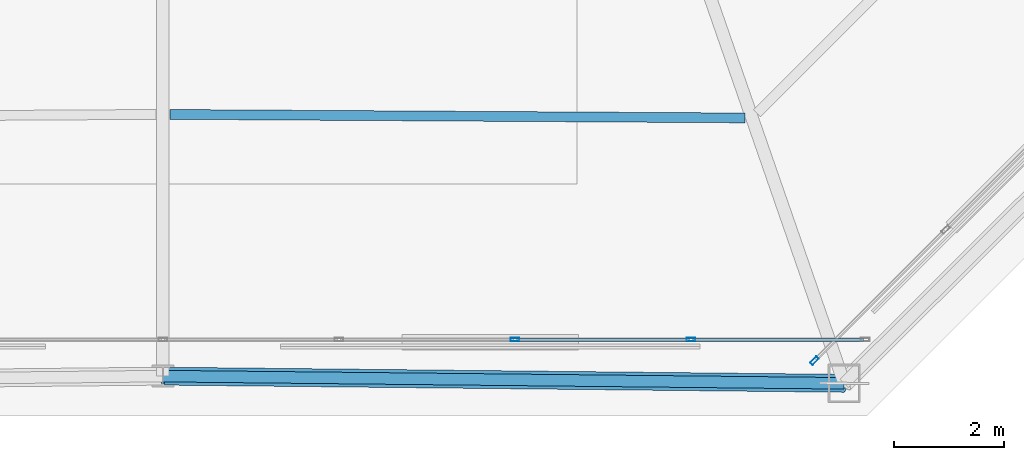
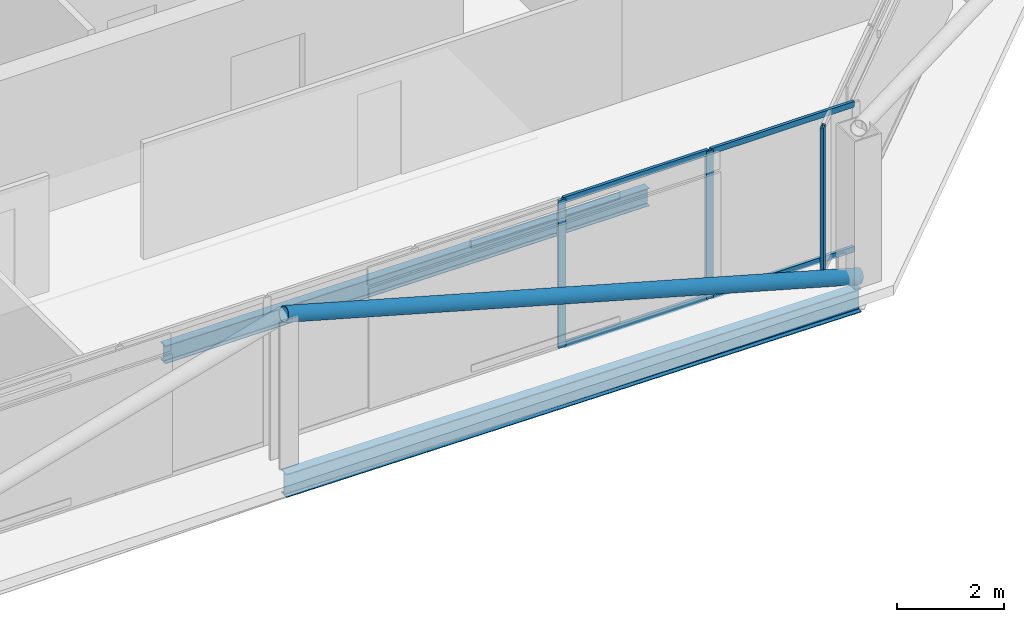
# One storey, part 8 of 26: 8 members, 2 beams, 2 elements without a shape of their own.
"""IFC4 building model written with IfcOpenShell, lengths in metres."""

from ifc_helpers import new_model, si_unit, direction, frame, origin, origin_2d, place, context, subcontext, project, spatial, hollow_rectangle, hollow_circle, i_section, extrude, material, layer, layer_set, material_profile, profile_set, type_object, element, aggregate, save


model = new_model("IFC4")

# Units and contexts
model_context = context("Model", 3, precision=1e-05, world=origin(), true_north=direction((0.0, 1.0)))
body_context = subcontext(model_context, "Body", "Model", "MODEL_VIEW")
ifc_project = project(units=[si_unit("LENGTHUNIT", "METRE"), si_unit("AREAUNIT", "SQUARE_METRE"), si_unit("VOLUMEUNIT", "CUBIC_METRE"), si_unit("PLANEANGLEUNIT", "RADIAN"), si_unit("MASSUNIT", "GRAM", prefix="KILO")], contexts=[model_context])

# Site, building, storey
site_placement = place(None, origin())
site = spatial("IfcSite", under=ifc_project, at=site_placement, CompositionType="ELEMENT")
building_placement = place(site_placement, origin())
building = spatial("IfcBuilding", under=site, at=building_placement, Name="Caelvoria Tower", CompositionType="ELEMENT")
storey_placement = place(building_placement, frame((0.0, 0.0, 239.39990234375)))
storey = spatial("IfcBuildingStorey", under=building, at=storey_placement, Name="L63", CompositionType="ELEMENT", Elevation=239.39990234375)

# Curtain wall, members
ifc_material_1 = material(Name="Anodised Bronze Aluminium and Low-E Glass", Category="aluminium")
ifc_layer = layer(ifc_material_1, 0.175048828125, Name="Anodised Bronze Aluminium and Low-E Glass")
ifc_layer_set = layer_set([ifc_layer], Name="CW System 4 High-Zone Tapered Crystal Facade - Anodised Bronze Aluminium and Low-E Glass")
curtain_wall_type = type_object("IfcCurtainWallType", Name="CW System 4 High-Zone Tapered Crystal Facade", PredefinedType="NOTDEFINED", material=ifc_layer_set)
curtain_wall_1_placement = place(storey_placement, origin())
curtain_wall_1 = element("IfcCurtainWall", 1, at=curtain_wall_1_placement, inside=storey, type_object=curtain_wall_type, Name="CW-04 Curtain Wall L63-E0", PredefinedType="NOTDEFINED")
ifc_material_2 = material(Name="Anodised Bronze Architectural Aluminium", Category="aluminium")
ifc_material_profile_1 = material_profile(ifc_material_2, hollow_rectangle(XDim=0.06494140625, YDim=0.159912109375, WallThickness=0.00390625, at=origin_2d()), Name="Anodised Bronze Architectural Aluminium")
ifc_profile_set_1 = profile_set([ifc_material_profile_1], Name="CW_MULL_65X160 - Anodised Bronze Architectural Aluminium")
member_type_1 = type_object("IfcMemberType", Name="Curtain Wall Mullion 65x160 Bronze Aluminium", PredefinedType="MULLION", material=ifc_profile_set_1)
member_1_placement = place(storey_placement, frame((52.375, 15.179931640625, 0.0), z_axis=(0.0, 0.0, 1.0), x_axis=(0.0, 1.0, 0.0)))
member_1 = element("IfcMember", 2, at=member_1_placement, type_object=member_type_1, Name="CW-04 mullion 7", PredefinedType="MULLION", context=body_context, shape_type="SweptSolid", body=[
    extrude(hollow_rectangle(XDim=0.06494140625, YDim=0.159912109375, WallThickness=0.00390625, at=origin_2d()), origin(), (0.0, 0.0, 1.0), 3.375),
])
member_2_placement = place(storey_placement, frame((55.5625, 15.179931640625, 0.0), z_axis=(0.0, 0.0, 1.0), x_axis=(0.0, 1.0, 0.0)))
member_2 = element("IfcMember", 3, at=member_2_placement, type_object=member_type_1, Name="CW-04 mullion 8", PredefinedType="MULLION", context=body_context, shape_type="SweptSolid", body=[
    extrude(hollow_rectangle(XDim=0.06494140625, YDim=0.159912109375, WallThickness=0.00390625, at=origin_2d()), origin(), (0.0, 0.0, 1.0), 3.375),
])

# Curtain wall, member
curtain_wall_2_placement = place(storey_placement, origin())
curtain_wall_2 = element("IfcCurtainWall", 4, at=curtain_wall_2_placement, inside=storey, type_object=curtain_wall_type, Name="CW-04 Curtain Wall L63-E1", PredefinedType="NOTDEFINED")
member_3_placement = place(storey_placement, frame((57.797119140625, 14.798828125, 0.0), z_axis=(0.0, 0.0, 1.0), x_axis=(-0.707106781187, 0.707106781187, 0.0)))
member_3 = element("IfcMember", 5, at=member_3_placement, type_object=member_type_1, Name="CW-04 mullion 1", PredefinedType="MULLION", context=body_context, shape_type="SweptSolid", body=[
    extrude(hollow_rectangle(XDim=0.06494140625, YDim=0.159912109375, WallThickness=0.00390625, at=origin_2d()), origin(), (0.0, 0.0, 1.0), 3.375),
])
aggregate(curtain_wall_2, [member_3])

# Member
ifc_material_profile_2 = material_profile(ifc_material_2, hollow_rectangle(XDim=0.06494140625, YDim=0.1298828125, WallThickness=0.00341796875, at=origin_2d()), Name="Anodised Bronze Architectural Aluminium")
ifc_profile_set_2 = profile_set([ifc_material_profile_2], Name="CW_TRAN_65X130 - Anodised Bronze Architectural Aluminium")
member_type_2 = type_object("IfcMemberType", Name="Curtain Wall Transom 65x130 Bronze Aluminium", PredefinedType="USERDEFINED", material=ifc_profile_set_2)
member_4_placement = place(storey_placement, frame((52.407470703125, 15.179931640625, 0.03271484375), z_axis=(1.0, 0.0, 0.0), x_axis=(0.0, 1.0, 0.0)))
member_4 = element("IfcMember", 6, at=member_4_placement, type_object=member_type_2, Name="CW-04 transom 7.1", ObjectType="TRANSOM", PredefinedType="USERDEFINED", context=body_context, shape_type="SweptSolid", body=[
    extrude(hollow_rectangle(XDim=0.06494140625, YDim=0.1298828125, WallThickness=0.00341796875, at=origin_2d()), origin(), (0.0, 0.0, 1.0), 3.12255859375),
])

member_5_placement = place(storey_placement, frame((52.407470703125, 15.179931640625, 3.342529296875), z_axis=(1.0, 0.0, 0.0), x_axis=(0.0, 1.0, 0.0)))
member_5 = element("IfcMember", 7, at=member_5_placement, type_object=member_type_2, Name="CW-04 transom 7.2", ObjectType="TRANSOM", PredefinedType="USERDEFINED", context=body_context, shape_type="SweptSolid", body=[
    extrude(hollow_rectangle(XDim=0.06494140625, YDim=0.1298828125, WallThickness=0.00341796875, at=origin_2d()), origin(), (0.0, 0.0, 1.0), 3.12255859375),
])

member_6_placement = place(storey_placement, frame((55.594970703125, 15.179931640625, 0.03271484375), z_axis=(1.0, 0.0, 0.0), x_axis=(0.0, 1.0, 0.0)))
member_6 = element("IfcMember", 8, at=member_6_placement, type_object=member_type_2, Name="CW-04 transom 8.1", ObjectType="TRANSOM", PredefinedType="USERDEFINED", context=body_context, shape_type="SweptSolid", body=[
    extrude(hollow_rectangle(XDim=0.06494140625, YDim=0.1298828125, WallThickness=0.00341796875, at=origin_2d()), origin(), (0.0, 0.0, 1.0), 3.090087890625),
])

member_7_placement = place(storey_placement, frame((55.594970703125, 15.179931640625, 3.342529296875), z_axis=(1.0, 0.0, 0.0), x_axis=(0.0, 1.0, 0.0)))
member_7 = element("IfcMember", 9, at=member_7_placement, type_object=member_type_2, Name="CW-04 transom 8.2", ObjectType="TRANSOM", PredefinedType="USERDEFINED", context=body_context, shape_type="SweptSolid", body=[
    extrude(hollow_rectangle(XDim=0.06494140625, YDim=0.1298828125, WallThickness=0.00341796875, at=origin_2d()), origin(), (0.0, 0.0, 1.0), 3.090087890625),
])

aggregate(curtain_wall_1, [member_1, member_2, member_4, member_5, member_6, member_7])

# Beam
ifc_material_3 = material(Name="Structural Steel ASTM A992 Gr.50", Category="steel")
ifc_material_profile_3 = material_profile(ifc_material_3, i_section(OverallWidth=0.177978515625, OverallDepth=0.406982421875, WebThickness=0.0078125, FlangeThickness=0.0126953125, FilletRadius=0.013916015625, at=origin_2d()), Name="Structural Steel ASTM A992 Gr.50")
ifc_profile_set_3 = profile_set([ifc_material_profile_3], Name="W410X60 - Structural Steel ASTM A992 Gr.50")
beam_type_1 = type_object("IfcBeamType", Name="Secondary Floor Beam W410X60", PredefinedType="BEAM", material=ifc_profile_set_3)
beam_1_placement = place(storey_placement, frame((46.125, 19.25927734375, -0.428466796875), z_axis=(0.999981296963, -0.006116021899, 0.0), x_axis=(0.006116021899, 0.999981296963, 0.0)))
element("IfcBeam", 10, at=beam_1_placement, inside=storey, type_object=beam_type_1, Name="Secondary Floor Beam L63-01", PredefinedType="BEAM", context=body_context, shape_type="SweptSolid", body=[
    extrude(i_section(OverallWidth=0.177978515625, OverallDepth=0.406982421875, WebThickness=0.0078125, FlangeThickness=0.0126953125, FilletRadius=0.013916015625, at=origin_2d()), origin(), (0.0, 0.0, 1.0), 10.418701171875),
])

# Member
ifc_material_4 = material(Name="Structural Steel ASTM A572 Gr.50", Category="steel")
ifc_material_profile_4 = material_profile(ifc_material_4, hollow_circle(Radius=0.162109375, WallThickness=0.0126953125, at=origin_2d()), Name="Structural Steel ASTM A572 Gr.50")
ifc_profile_set_4 = profile_set([ifc_material_profile_4], Name="CHS324X12.7 - Structural Steel ASTM A572 Gr.50")
member_type_3 = type_object("IfcMemberType", Name="Summit Perimeter Mega Brace CHS324X12.7", PredefinedType="BRACE", material=ifc_profile_set_4)
member_8_placement = place(storey_placement, frame((58.3369140625, 14.3896484375, 0.0), z_axis=(-0.964507270463, 0.01019248956, 0.263859505004), x_axis=(-0.010566971141, -0.999944168002, 0.0)))
element("IfcMember", 11, at=member_8_placement, inside=storey, type_object=member_type_3, Name="Perimeter Cardinal Mega Brace L63 SB", PredefinedType="BRACE", context=body_context, shape_type="SweptSolid", body=[
    extrude(hollow_circle(Radius=0.162109375, WallThickness=0.0126953125, at=origin_2d()), origin(), (0.0, 0.0, 1.0), 12.791015625),
])

# Beam
ifc_material_profile_5 = material_profile(ifc_material_3, i_section(OverallWidth=0.208984375, OverallDepth=0.532958984375, WebThickness=0.01025390625, FlangeThickness=0.015625, FilletRadius=0.01611328125, at=origin_2d()), Name="Structural Steel ASTM A992 Gr.50")
ifc_profile_set_5 = profile_set([ifc_material_profile_5], Name="W530X92 - Structural Steel ASTM A992 Gr.50")
beam_type_2 = type_object("IfcBeamType", Name="Upper Zone Spandrel W530X92", PredefinedType="BEAM", material=ifc_profile_set_5)
beam_2_placement = place(storey_placement, frame((46.0, 14.52001953125, -0.491455078125), z_axis=(0.999944168002, -0.010566971141, 0.0), x_axis=(0.010566971141, 0.999944168002, 0.0)))
element("IfcBeam", 12, at=beam_2_placement, inside=storey, type_object=beam_type_2, Name="Perimeter Spandrel Girder L63-01", PredefinedType="BEAM", context=body_context, shape_type="SweptSolid", body=[
    extrude(i_section(OverallWidth=0.208984375, OverallDepth=0.532958984375, WebThickness=0.01025390625, FlangeThickness=0.015625, FilletRadius=0.01611328125, at=origin_2d()), origin(), (0.0, 0.0, 1.0), 12.337646484375),
])

save(model, "model.ifc")
